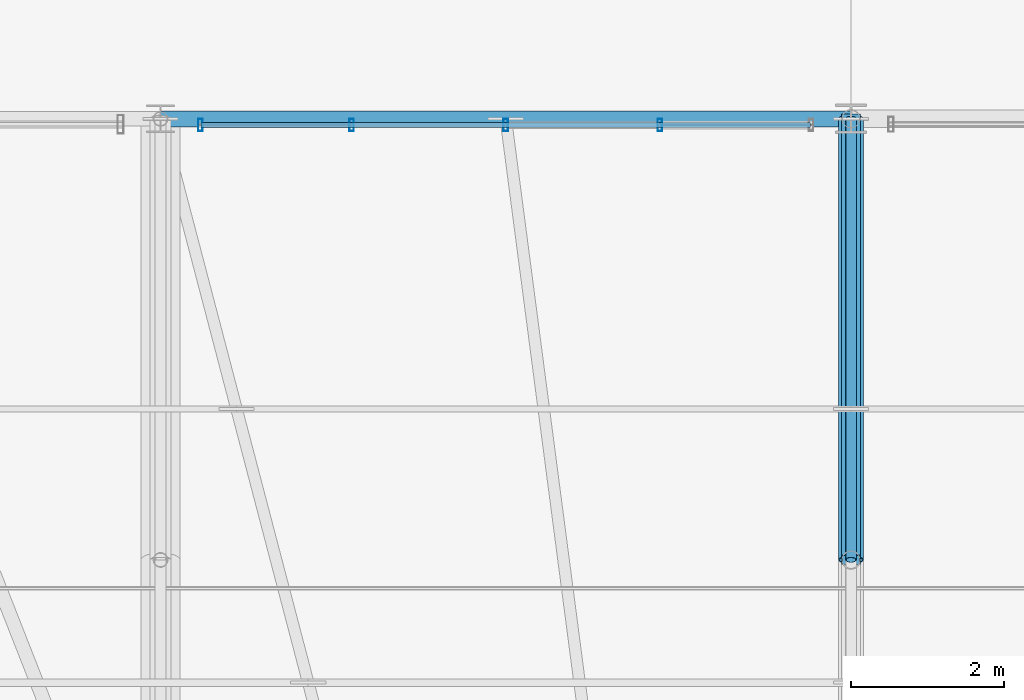
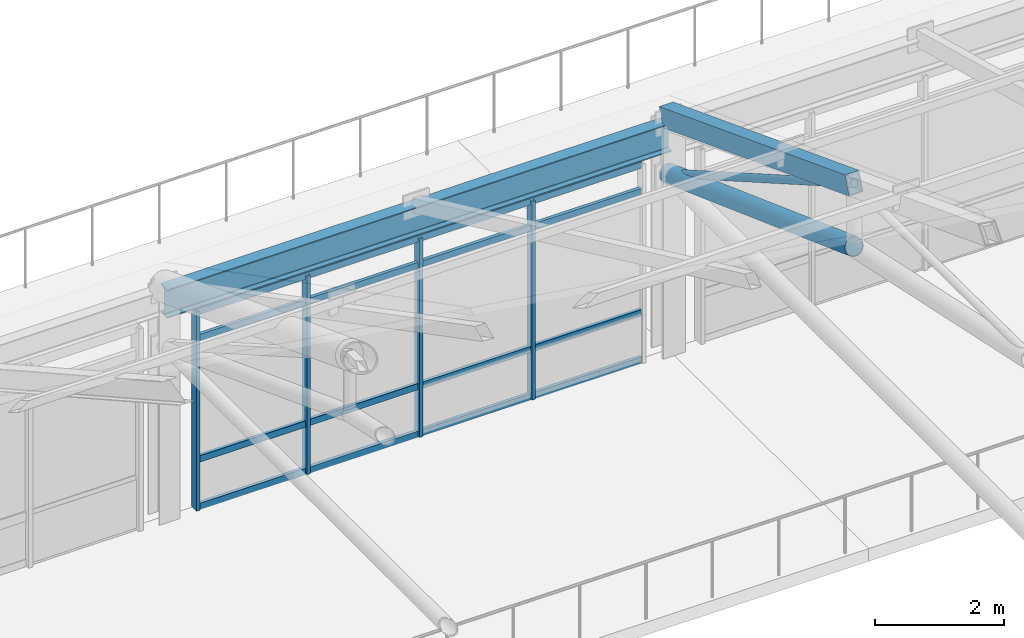
# One storey, part 58 of 168: 10 members, 2 beams, 1 element without a shape of its own.
"""IFC4 building model written with IfcOpenShell, lengths in metres."""

from ifc_helpers import new_model, si_unit, direction, frame, origin, origin_2d, place, context, subcontext, project, spatial, hollow_rectangle, hollow_circle, i_section, extrude, material, material_profile, profile_set, type_object, element, aggregate, save


model = new_model("IFC4")

# Units and contexts
model_context = context("Model", 3, precision=1e-05, world=origin(), true_north=direction((0.0, 1.0)))
body_context = subcontext(model_context, "Body", "Model", "MODEL_VIEW")
ifc_project = project(units=[si_unit("LENGTHUNIT", "METRE"), si_unit("AREAUNIT", "SQUARE_METRE"), si_unit("VOLUMEUNIT", "CUBIC_METRE"), si_unit("PLANEANGLEUNIT", "RADIAN"), si_unit("MASSUNIT", "GRAM", prefix="KILO"), si_unit("THERMODYNAMICTEMPERATUREUNIT", "KELVIN"), si_unit("POWERUNIT", "WATT")], contexts=[model_context])

# Site, building, storey
site_placement = place(None, origin())
site = spatial("IfcSite", under=ifc_project, at=site_placement, CompositionType="ELEMENT")
building_placement = place(site_placement, origin())
building = spatial("IfcBuilding", under=site, at=building_placement, Name="Tepalcoro Natatorium and Aquatics Centre", CompositionType="ELEMENT")
storey_placement = place(building_placement, frame((0.0, 0.0, 10.199951171875)))
storey = spatial("IfcBuildingStorey", under=building, at=storey_placement, Name="L02", CompositionType="ELEMENT", Elevation=10.199951171875)

# Beam
ifc_material_1 = material(Name="Terracotta Painted Hollow Steel ASTM A500 Grade C (Fy 345 MPa)", Category="masonry")
ifc_material_profile_1 = material_profile(ifc_material_1, hollow_rectangle(XDim=0.25, YDim=0.35009765625, WallThickness=0.01611328125, at=origin_2d()), Name="HSS350X250X16")
ifc_profile_set_1 = profile_set([ifc_material_profile_1], Name="Terracotta Painted Hollow Steel ASTM A500 Grade C (Fy 345 MPa)")
beam_type_1 = type_object("IfcBeamType", Name="AC_HSS350x250x16", PredefinedType="USERDEFINED", material=ifc_profile_set_1)
beam_1_placement = place(storey_placement, frame((89.0, 53.25, 6.62109375), z_axis=(0.0, 0.934186419385, -0.356785276935), x_axis=(-1.0, 0.0, 0.0)))
element("IfcBeam", 1, at=beam_1_placement, inside=storey, type_object=beam_type_1, Name="V1 Arched Truss Top Chord 5", ObjectType="ARCH CHORD", PredefinedType="USERDEFINED", context=body_context, shape_type="SweptSolid", body=[
    extrude(hollow_rectangle(XDim=0.25, YDim=0.35009765625, WallThickness=0.01611328125, at=origin_2d()), origin(), (0.0, 0.0, 1.0), 6.155029296875),
])

# Curtain wall, members
ifc_material_2 = material(Name="Bronze-Anodised Extruded Aluminium Alloy EN AW-6063 T6", Category="aluminium")
curtain_wall_type = type_object("IfcCurtainWallType", Name="CW_LEAN_T2_EW", PredefinedType="USERDEFINED", material=ifc_material_2)
curtain_wall_placement = place(storey_placement, origin())
curtain_wall = element("IfcCurtainWall", 2, at=curtain_wall_placement, inside=storey, type_object=curtain_wall_type, Name="V1 L02 N Unitised Curtain Wall Bay 4", ObjectType="FACETED SOLAR GLAZING", PredefinedType="USERDEFINED")
ifc_material_profile_2 = material_profile(ifc_material_2, hollow_rectangle(XDim=0.06005859375, YDim=0.159912109375, WallThickness=0.00390625, at=origin_2d()), Name="AL60X160X4")
ifc_profile_set_2 = profile_set([ifc_material_profile_2], Name="Bronze-Anodised Extruded Aluminium Alloy EN AW-6063 T6")
member_type_1 = type_object("IfcMemberType", Name="CW_MUL_60x160", PredefinedType="MULLION", material=ifc_profile_set_2)
member_1_placement = place(storey_placement, frame((80.52001953125, 58.919921875, 0.02001953125), z_axis=(0.0, 0.0, 1.0), x_axis=(1.0, 0.0, 0.0)))
member_1 = element("IfcMember", 3, at=member_1_placement, type_object=member_type_1, Name="CW_LEAN_T2_EW Curtain Wall Mullion", PredefinedType="MULLION", context=body_context, shape_type="SweptSolid", body=[
    extrude(hollow_rectangle(XDim=0.06005859375, YDim=0.159912109375, WallThickness=0.00390625, at=origin_2d()), origin(), (0.0, 0.0, 1.0), 3.744140625),
])
member_2_placement = place(storey_placement, frame((82.489990234375, 58.919921875, 0.02001953125), z_axis=(0.0, 0.0, 1.0), x_axis=(1.0, 0.0, 0.0)))
member_2 = element("IfcMember", 4, at=member_2_placement, type_object=member_type_1, Name="CW_LEAN_T2_EW Curtain Wall Mullion", PredefinedType="MULLION", context=body_context, shape_type="SweptSolid", body=[
    extrude(hollow_rectangle(XDim=0.06005859375, YDim=0.159912109375, WallThickness=0.00390625, at=origin_2d()), origin(), (0.0, 0.0, 1.0), 3.744140625),
])
member_3_placement = place(storey_placement, frame((84.5, 58.919921875, 0.02001953125), z_axis=(0.0, 0.0, 1.0), x_axis=(1.0, 0.0, 0.0)))
member_3 = element("IfcMember", 5, at=member_3_placement, type_object=member_type_1, Name="CW_LEAN_T2_EW Curtain Wall Mullion", PredefinedType="MULLION", context=body_context, shape_type="SweptSolid", body=[
    extrude(hollow_rectangle(XDim=0.06005859375, YDim=0.159912109375, WallThickness=0.00390625, at=origin_2d()), origin(), (0.0, 0.0, 1.0), 3.744140625),
])
member_4_placement = place(storey_placement, frame((86.510009765625, 58.919921875, 0.02001953125), z_axis=(0.0, 0.0, 1.0), x_axis=(1.0, 0.0, 0.0)))
member_4 = element("IfcMember", 6, at=member_4_placement, type_object=member_type_1, Name="CW_LEAN_T2_EW Curtain Wall Mullion", PredefinedType="MULLION", context=body_context, shape_type="SweptSolid", body=[
    extrude(hollow_rectangle(XDim=0.06005859375, YDim=0.159912109375, WallThickness=0.00390625, at=origin_2d()), origin(), (0.0, 0.0, 1.0), 3.744140625),
])
ifc_material_profile_3 = material_profile(ifc_material_2, hollow_rectangle(XDim=0.06005859375, YDim=0.1201171875, WallThickness=0.00390625, at=origin_2d()), Name="AL60X120X4")
ifc_profile_set_3 = profile_set([ifc_material_profile_3], Name="Bronze-Anodised Extruded Aluminium Alloy EN AW-6063 T6")
member_type_2 = type_object("IfcMemberType", Name="CW_TRN_60x120", PredefinedType="USERDEFINED", material=ifc_profile_set_3)
member_5_placement = place(storey_placement, frame((80.530029296875, 58.919921875, 0.050048828125), z_axis=(1.0, 0.0, 0.0), x_axis=(0.0, 1.0, 0.0)))
member_5 = element("IfcMember", 7, at=member_5_placement, type_object=member_type_2, Name="CW_LEAN_T2_EW Curtain Wall Transom", ObjectType="TRANSOM", PredefinedType="USERDEFINED", context=body_context, shape_type="SweptSolid", body=[
    extrude(hollow_rectangle(XDim=0.06005859375, YDim=0.1201171875, WallThickness=0.00390625, at=origin_2d()), origin(), (0.0, 0.0, 1.0), 7.93994140625),
])
member_6_placement = place(storey_placement, frame((80.530029296875, 58.919921875, 0.946044921875), z_axis=(1.0, 0.0, 0.0), x_axis=(0.0, 1.0, 0.0)))
member_6 = element("IfcMember", 8, at=member_6_placement, type_object=member_type_2, Name="CW_LEAN_T2_EW Curtain Wall Transom", ObjectType="TRANSOM", PredefinedType="USERDEFINED", context=body_context, shape_type="SweptSolid", body=[
    extrude(hollow_rectangle(XDim=0.06005859375, YDim=0.1201171875, WallThickness=0.00390625, at=origin_2d()), origin(), (0.0, 0.0, 1.0), 7.93994140625),
])
member_7_placement = place(storey_placement, frame((80.530029296875, 58.919921875, 3.234130859375), z_axis=(1.0, 0.0, 0.0), x_axis=(0.0, 1.0, 0.0)))
member_7 = element("IfcMember", 9, at=member_7_placement, type_object=member_type_2, Name="CW_LEAN_T2_EW Curtain Wall Transom", ObjectType="TRANSOM", PredefinedType="USERDEFINED", context=body_context, shape_type="SweptSolid", body=[
    extrude(hollow_rectangle(XDim=0.06005859375, YDim=0.1201171875, WallThickness=0.00390625, at=origin_2d()), origin(), (0.0, 0.0, 1.0), 7.93994140625),
])
member_8_placement = place(storey_placement, frame((80.530029296875, 58.919921875, 3.734130859375), z_axis=(1.0, 0.0, 0.0), x_axis=(0.0, 1.0, 0.0)))
member_8 = element("IfcMember", 10, at=member_8_placement, type_object=member_type_2, Name="CW_LEAN_T2_EW Curtain Wall Transom", ObjectType="TRANSOM", PredefinedType="USERDEFINED", context=body_context, shape_type="SweptSolid", body=[
    extrude(hollow_rectangle(XDim=0.06005859375, YDim=0.1201171875, WallThickness=0.00390625, at=origin_2d()), origin(), (0.0, 0.0, 1.0), 7.93994140625),
])
aggregate(curtain_wall, [member_1, member_2, member_3, member_4, member_5, member_6, member_7, member_8])

# Members
ifc_material_profile_4 = material_profile(ifc_material_1, hollow_circle(Radius=0.162109375, WallThickness=0.013916015625, at=origin_2d()), Name="CHS324X14")
ifc_profile_set_4 = profile_set([ifc_material_profile_4], Name="Terracotta Painted Hollow Steel ASTM A500 Grade C (Fy 345 MPa)")
member_type_3 = type_object("IfcMemberType", Name="MB_CH_CHS324x14", PredefinedType="CHORD", material=ifc_profile_set_4)
member_9_placement = place(storey_placement, frame((89.0, 53.25, 5.42822265625), z_axis=(0.0, 0.93914324838, -0.343525776358), x_axis=(-1.0, 0.0, 0.0)))
element("IfcMember", 11, at=member_9_placement, inside=storey, type_object=member_type_3, Name="V1 Arched Truss Bottom Chord 5", PredefinedType="CHORD", context=body_context, shape_type="SweptSolid", body=[
    extrude(hollow_circle(Radius=0.162109375, WallThickness=0.013916015625, at=origin_2d()), origin(), (0.0, 0.0, 1.0), 6.12255859375),
])
ifc_material_profile_5 = material_profile(ifc_material_1, hollow_circle(Radius=0.070068359375, WallThickness=0.008056640625, at=origin_2d()), Name="CHS140X8")
ifc_profile_set_5 = profile_set([ifc_material_profile_5], Name="Terracotta Painted Hollow Steel ASTM A500 Grade C (Fy 345 MPa)")
member_type_4 = type_object("IfcMemberType", Name="MB_ST_CHS140x8", PredefinedType="STRUT", material=ifc_profile_set_5)
member_10_placement = place(storey_placement, frame((89.0, 53.25, 6.62109375), z_axis=(0.0, 0.867564547129, -0.497324598794), x_axis=(-1.0, 0.0, 0.0)))
element("IfcMember", 12, at=member_10_placement, inside=storey, type_object=member_type_4, Name="V1 Arched Truss Web Diagonal 5", PredefinedType="STRUT", context=body_context, shape_type="SweptSolid", body=[
    extrude(hollow_circle(Radius=0.070068359375, WallThickness=0.008056640625, at=origin_2d()), origin(), (0.0, 0.0, 1.0), 6.627685546875),
])

# Beam
ifc_material_3 = material(Name="Steel ASTM A992 Grade 50 (Fy 345 MPa)", Category="steel")
ifc_material_profile_6 = material_profile(ifc_material_3, i_section(OverallWidth=0.2099609375, OverallDepth=0.535888671875, WebThickness=0.010986328125, FlangeThickness=0.01708984375, FilletRadius=0.013916015625, at=origin_2d()), Name="W21X68")
ifc_profile_set_6 = profile_set([ifc_material_profile_6], Name="Steel ASTM A992 Grade 50 (Fy 345 MPa)")
beam_type_2 = type_object("IfcBeamType", Name="SP_W21x68", PredefinedType="SPANDREL", material=ifc_profile_set_6)
beam_2_placement = place(storey_placement, frame((80.0, 59.0, 4.067138671875), z_axis=(1.0, 0.0, 0.0), x_axis=(0.0, 1.0, 0.0)))
element("IfcBeam", 13, at=beam_2_placement, inside=storey, type_object=beam_type_2, Name="V1 L02 Grid Girder X", PredefinedType="SPANDREL", context=body_context, shape_type="SweptSolid", body=[
    extrude(i_section(OverallWidth=0.2099609375, OverallDepth=0.535888671875, WebThickness=0.010986328125, FlangeThickness=0.01708984375, FilletRadius=0.013916015625, at=origin_2d()), origin(), (0.0, 0.0, 1.0), 9.0),
])

save(model, "model.ifc")
